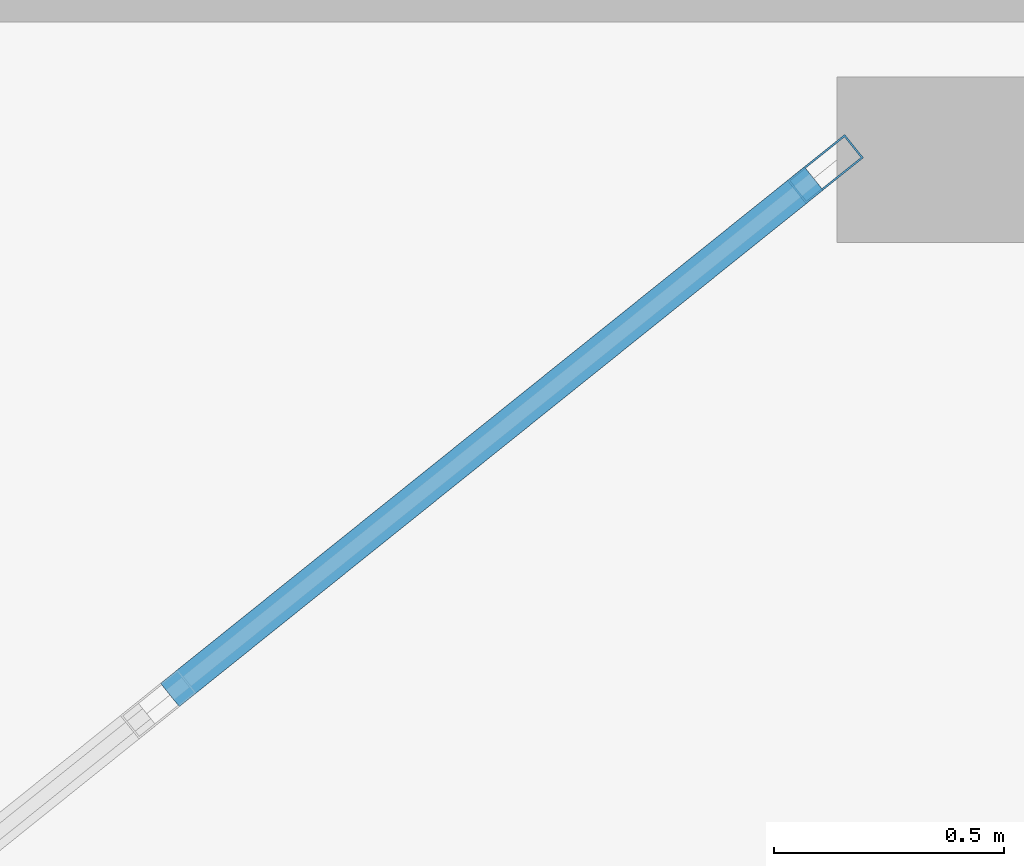
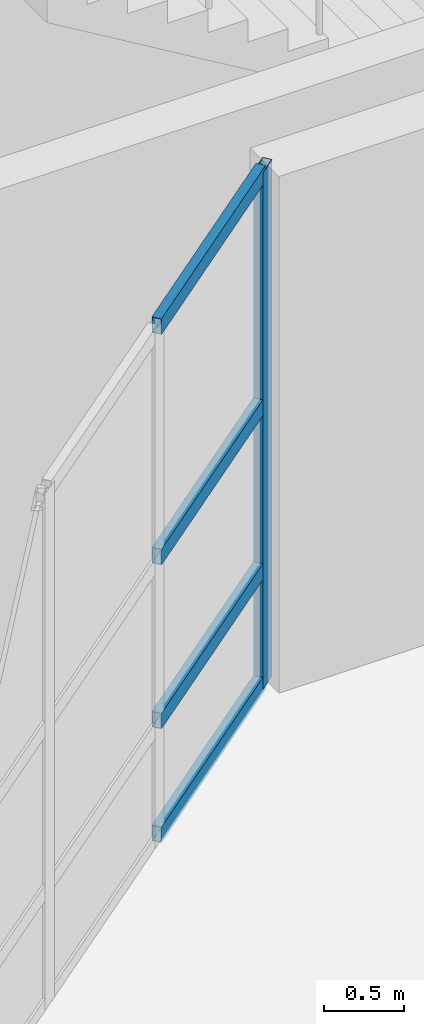
# One storey, part 33 of 114: 5 members, 1 element without a shape of its own.
"""IFC4 building model written with IfcOpenShell, lengths in metres."""

from ifc_helpers import new_model, si_unit, direction, frame, origin, origin_2d, place, context, subcontext, project, spatial, hollow_rectangle, extrude, material, layer, layer_set, material_profile, profile_set, type_object, element, aggregate, save


model = new_model("IFC4")

# Units and contexts
model_context = context("Model", 3, precision=1e-05, world=origin(), true_north=direction((0.0, 1.0)))
body_context = subcontext(model_context, "Body", "Model", "MODEL_VIEW")
ifc_project = project(units=[si_unit("LENGTHUNIT", "METRE"), si_unit("AREAUNIT", "SQUARE_METRE"), si_unit("VOLUMEUNIT", "CUBIC_METRE"), si_unit("PLANEANGLEUNIT", "RADIAN"), si_unit("MASSUNIT", "GRAM", prefix="KILO")], contexts=[model_context])

# Site, building, storey
site_placement = place(None, origin())
site = spatial("IfcSite", under=ifc_project, at=site_placement, CompositionType="ELEMENT")
building_placement = place(site_placement, origin())
building = spatial("IfcBuilding", under=site, at=building_placement, Name="Keldmere Railside Commons", CompositionType="ELEMENT")
storey_placement = place(building_placement, origin())
storey = spatial("IfcBuildingStorey", under=building, at=storey_placement, Name="L00", CompositionType="ELEMENT", Elevation=0.0)

# Curtain wall, members
ifc_material = material(Name="Thermally Broken Aluminium", Category="aluminium")
ifc_layer = layer(ifc_material, 0.159912109375, Name="Residential Ground Entrance Lobby CW 4000x3600")
ifc_layer_set = layer_set([ifc_layer], Name="Thermally Broken Aluminium")
curtain_wall_type = type_object("IfcCurtainWallType", Name="Residential Ground Entrance Lobby CW 4000x3600", PredefinedType="NOTDEFINED", material=ifc_layer_set)
curtain_wall_placement = place(storey_placement, origin())
curtain_wall = element("IfcCurtainWall", 1, at=curtain_wall_placement, inside=storey, type_object=curtain_wall_type, Name="CW-10 CW-L00-027", PredefinedType="NOTDEFINED")
ifc_material_profile_1 = material_profile(ifc_material, hollow_rectangle(XDim=0.06494140625, YDim=0.159912109375, WallThickness=0.00390625, at=origin_2d()), Name="ALU-MULL-65x160")
ifc_profile_set_1 = profile_set([ifc_material_profile_1], Name="Thermally Broken Aluminium")
member_type_1 = type_object("IfcMemberType", Name="Unitised Curtain Wall Mullion 65x160", PredefinedType="MULLION", material=ifc_profile_set_1)
member_1_placement = place(storey_placement, frame((75.974609375, 99.979736328125, 0.0), z_axis=(0.0, 0.0, 1.0), x_axis=(0.625768080915, -0.780009172323, 0.0)))
member_1 = element("IfcMember", 2, at=member_1_placement, type_object=member_type_1, Name="CW-10 mullion 1", PredefinedType="MULLION", context=body_context, shape_type="SweptSolid", body=[
    extrude(hollow_rectangle(XDim=0.06494140625, YDim=0.159912109375, WallThickness=0.00390625, at=origin_2d()), origin(), (0.0, 0.0, 1.0), 3.93994140625),
])
ifc_material_profile_2 = material_profile(ifc_material, hollow_rectangle(XDim=0.06494140625, YDim=0.1201171875, WallThickness=0.00390625, at=origin_2d()), Name="ALU-TRAN-65x120")
ifc_profile_set_2 = profile_set([ifc_material_profile_2], Name="Thermally Broken Aluminium")
member_type_2 = type_object("IfcMemberType", Name="Unitised Curtain Wall Transom 65x120", PredefinedType="USERDEFINED", material=ifc_profile_set_2)
member_2_placement = place(storey_placement, frame((75.94921875, 99.959228515625, 0.032470703125), z_axis=(-0.780045694992, -0.625722553313, 0.0), x_axis=(0.625722553313, -0.780045694992, 0.0)))
member_2 = element("IfcMember", 3, at=member_2_placement, type_object=member_type_2, Name="CW-10 transom 1.1", ObjectType="TRANSOM", PredefinedType="USERDEFINED", context=body_context, shape_type="SweptSolid", body=[
    extrude(hollow_rectangle(XDim=0.06494140625, YDim=0.1201171875, WallThickness=0.00390625, at=origin_2d()), origin(), (0.0, 0.0, 1.0), 1.795654296875),
])
member_3_placement = place(storey_placement, frame((75.94921875, 99.959228515625, 0.89990234375), z_axis=(-0.780045694992, -0.625722553313, 0.0), x_axis=(0.625722553313, -0.780045694992, 0.0)))
member_3 = element("IfcMember", 4, at=member_3_placement, type_object=member_type_2, Name="CW-10 transom 1.2", ObjectType="TRANSOM", PredefinedType="USERDEFINED", context=body_context, shape_type="SweptSolid", body=[
    extrude(hollow_rectangle(XDim=0.06494140625, YDim=0.1201171875, WallThickness=0.00390625, at=origin_2d()), origin(), (0.0, 0.0, 1.0), 1.795654296875),
])
member_4_placement = place(storey_placement, frame((75.94921875, 99.959228515625, 2.14990234375), z_axis=(-0.780045694992, -0.625722553313, 0.0), x_axis=(0.625722553313, -0.780045694992, 0.0)))
member_4 = element("IfcMember", 5, at=member_4_placement, type_object=member_type_2, Name="CW-10 transom 1.3", ObjectType="TRANSOM", PredefinedType="USERDEFINED", context=body_context, shape_type="SweptSolid", body=[
    extrude(hollow_rectangle(XDim=0.06494140625, YDim=0.1201171875, WallThickness=0.00390625, at=origin_2d()), origin(), (0.0, 0.0, 1.0), 1.795654296875),
])
member_5_placement = place(storey_placement, frame((75.94921875, 99.959228515625, 3.907470703125), z_axis=(-0.780045694992, -0.625722553313, 0.0), x_axis=(0.625722553313, -0.780045694992, 0.0)))
member_5 = element("IfcMember", 6, at=member_5_placement, type_object=member_type_2, Name="CW-10 transom 1.4", ObjectType="TRANSOM", PredefinedType="USERDEFINED", context=body_context, shape_type="SweptSolid", body=[
    extrude(hollow_rectangle(XDim=0.06494140625, YDim=0.1201171875, WallThickness=0.00390625, at=origin_2d()), origin(), (0.0, 0.0, 1.0), 1.795654296875),
])
aggregate(curtain_wall, [member_1, member_2, member_3, member_4, member_5])

save(model, "model.ifc")
